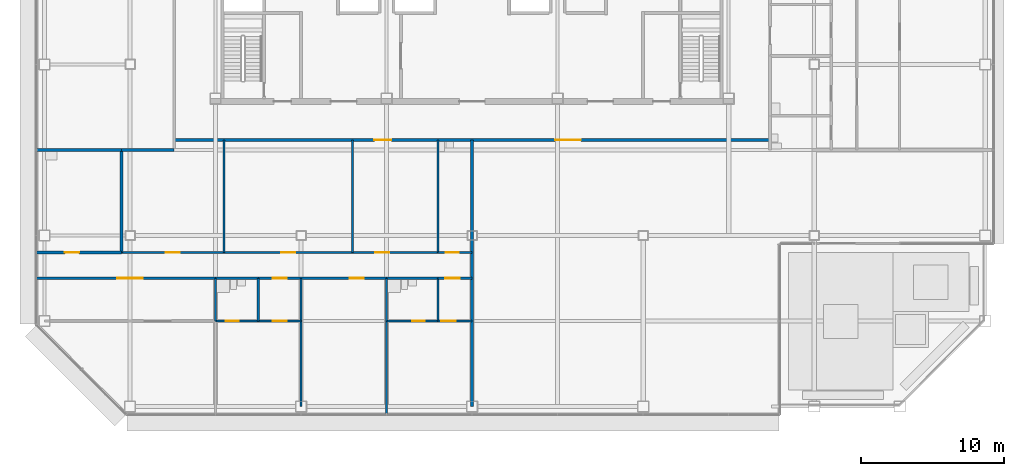
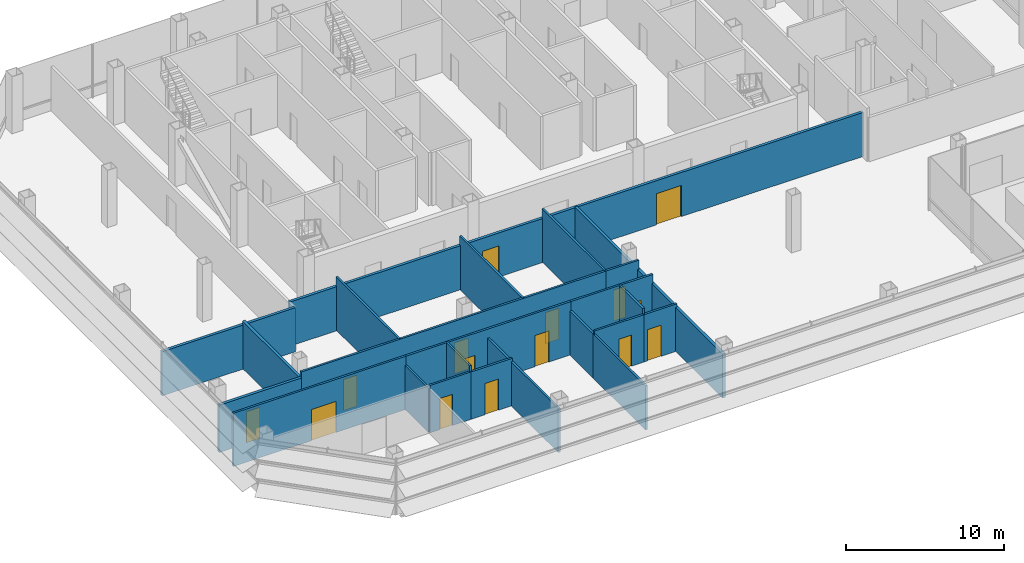
# One storey, part 19 of 28: 26 walls, 15 doors, 15 openings.
"""IFC4 building model written with IfcOpenShell, lengths in metres."""

from ifc_helpers import new_model, si_unit, direction, frame, frame_2d, origin, place, context, subcontext, project, spatial, rectangle, extrude, material, layer, layer_set, type_object, element, fill, save


model = new_model("IFC4")

# Units and contexts
model_context = context("Model", 3, precision=1e-05, world=origin(), true_north=direction((0.0, 1.0)))
body_context = subcontext(model_context, "Body", "Model", "MODEL_VIEW")
ifc_project = project(units=[si_unit("LENGTHUNIT", "METRE"), si_unit("AREAUNIT", "SQUARE_METRE"), si_unit("VOLUMEUNIT", "CUBIC_METRE"), si_unit("PLANEANGLEUNIT", "RADIAN"), si_unit("MASSUNIT", "GRAM", prefix="KILO")], contexts=[model_context])

# Site, building, storey
site_placement = place(None, origin())
site = spatial("IfcSite", under=ifc_project, at=site_placement, CompositionType="ELEMENT")
building_placement = place(site_placement, origin())
building = spatial("IfcBuilding", under=site, at=building_placement, Name="Sorahane Residences", CompositionType="ELEMENT")
storey_placement = place(building_placement, frame((0.0, 0.0, 134.0)))
storey = spatial("IfcBuildingStorey", under=building, at=storey_placement, Name="L30", CompositionType="ELEMENT", Elevation=134.0)

# Walls
ifc_material_1 = material(Name="Concrete blockwork C20 wall", Category="masonry")
ifc_layer_1 = layer(ifc_material_1, 0.199951171875)
ifc_layer_set_1 = layer_set([ifc_layer_1], Name="Corridor wall 200 EI 120")
wall_type_1 = type_object("IfcWallType", Name="Corridor wall 200 EI 120", PredefinedType="SOLIDWALL", material=ifc_layer_set_1)
wall_1_placement = place(storey_placement, frame((24.0, 0.0, 0.0), z_axis=(0.0, 0.0, 1.0), x_axis=(0.0, 1.0, 0.0)))
element("IfcWall", 1, at=wall_1_placement, inside=storey, type_object=wall_type_1, Name="L30 corridor wall", PredefinedType="SOLIDWALL", context=body_context, shape_type="SweptSolid", body=[
    extrude(rectangle(XDim=18.699951171875, YDim=0.199951171875, at=frame_2d((9.35009765625, 0.0))), origin(), (0.0, 0.0, 1.0), 3.39990234375),
])
wall_2_placement = place(storey_placement, frame((-0.60009765625, 18.0, 0.0), z_axis=(0.0, 0.0, 1.0), x_axis=(1.0, 0.0, 0.0)))
element("IfcWall", 2, at=wall_2_placement, inside=storey, type_object=wall_type_1, Name="L30 corridor wall", PredefinedType="SOLIDWALL", context=body_context, shape_type="SweptSolid", body=[
    extrude(rectangle(XDim=3.7001953125, YDim=0.199951171875, at=frame_2d((1.85009765625, 0.0))), origin(), (0.0, 0.0, 1.0), 3.39990234375),
])

# Wall, openings, doors
wall_3_placement = place(storey_placement, frame((3.10009765625, 18.699951171875, 0.0), z_axis=(0.0, 0.0, 1.0), x_axis=(1.0, 0.0, 0.0)))
wall_3 = element("IfcWall", 3, at=wall_3_placement, inside=storey, type_object=wall_type_1, Name="L30 corridor wall", PredefinedType="SOLIDWALL", context=body_context, shape_type="SweptSolid", body=[
    extrude(rectangle(XDim=41.7998046875, YDim=0.199951171875, at=frame_2d((20.89990234375, 0.0))), origin(), (0.0, 0.0, 1.0), 3.39990234375),
])
opening_1_placement = place(wall_3_placement, frame((14.0400390625, 0.0, 0.0)))
opening_1 = element("IfcOpeningElement", 4, at=opening_1_placement, cuts=wall_3, Name="Opening L30-27", PredefinedType="OPENING", context=body_context, shape_type="SweptSolid", body=[
    extrude(rectangle(XDim=1.199951171875, YDim=2.39990234375, at=frame_2d((0.60009765625, 1.199951171875))), frame((0.0, 0.10986328125, 0.0), z_axis=(0.0, -1.0, 0.0), x_axis=(1.0, 0.0, 0.0)), (0.0, 0.0, 1.0), 0.219970703125),
])
opening_2_placement = place(wall_3_placement, frame((26.72998046875, 0.0, 0.0)))
opening_2 = element("IfcOpeningElement", 5, at=opening_2_placement, cuts=wall_3, Name="Opening L30-29", PredefinedType="OPENING", context=body_context, shape_type="SweptSolid", body=[
    extrude(rectangle(XDim=1.800048828125, YDim=2.39990234375, at=frame_2d((0.89990234375, 1.199951171875))), frame((0.0, 0.10986328125, 0.0), z_axis=(0.0, -1.0, 0.0), x_axis=(1.0, 0.0, 0.0)), (0.0, 0.0, 1.0), 0.219970703125),
])
ifc_material_2 = material(Name="Timber veneered fire door", Category="wood")
door_type_1 = type_object("IfcDoorType", Name="Double door 1800x2400 FD30", OperationType="NOTDEFINED", PredefinedType="DOOR", material=ifc_material_2)
door_1_placement = place(opening_2_placement, frame((1.800048828125, 0.0, 0.0), z_axis=(0.0, 0.0, 1.0), x_axis=(-1.0, 0.0, 0.0)))
door_1 = element("IfcDoor", 6, at=door_1_placement, inside=storey, type_object=door_type_1, Name="Double door L30-29", OperationType="SINGLE_SWING_LEFT", OverallHeight=2.39990234375, OverallWidth=1.800048828125, PredefinedType="DOOR", context=body_context, shape_type="SweptSolid", body=[
    extrude(rectangle(XDim=1.800048828125, YDim=2.39990234375, at=frame_2d((0.89990234375, 1.199951171875))), frame((0.0, 0.02490234375, 0.0), z_axis=(0.0, -1.0, 0.0), x_axis=(1.0, 0.0, 0.0)), (0.0, 0.0, 1.0), 0.050048828125),
])
fill(opening_2, door_1)
ifc_material_3 = material(Name="Timber veneered fire door", Category="wood")
door_type_2 = type_object("IfcDoorType", Name="Flat entrance door 1200x2400 FD60", OperationType="NOTDEFINED", PredefinedType="DOOR", material=ifc_material_3)
door_2_placement = place(opening_1_placement, frame((1.199951171875, 0.0, 0.0), z_axis=(0.0, 0.0, 1.0), x_axis=(-1.0, 0.0, 0.0)))
door_2 = element("IfcDoor", 7, at=door_2_placement, inside=storey, type_object=door_type_2, Name="Flat entrance door L30-27", OperationType="SINGLE_SWING_RIGHT", OverallHeight=2.39990234375, OverallWidth=1.199951171875, PredefinedType="DOOR", context=body_context, shape_type="SweptSolid", body=[
    extrude(rectangle(XDim=1.199951171875, YDim=2.39990234375, at=frame_2d((0.60009765625, 1.199951171875))), frame((0.0, 0.02490234375, 0.0), z_axis=(0.0, -1.0, 0.0), x_axis=(1.0, 0.0, 0.0)), (0.0, 0.0, 1.0), 0.050048828125),
])
fill(opening_1, door_2)

# Wall
ifc_material_4 = material(Name="Concrete blockwork C20 wall", Category="masonry")
ifc_layer_2 = layer(ifc_material_4, 0.199951171875)
ifc_layer_set_2 = layer_set([ifc_layer_2], Name="Kitchen wall 200 EI 180")
wall_type_2 = type_object("IfcWallType", Name="Kitchen wall 200 EI 180", PredefinedType="SOLIDWALL", material=ifc_layer_set_2)
wall_4_placement = place(storey_placement, frame((-0.60009765625, 10.800048828125, 0.0), z_axis=(0.0, 0.0, 1.0), x_axis=(0.0, 1.0, 0.0)))
element("IfcWall", 8, at=wall_4_placement, inside=storey, type_object=wall_type_2, Name="L30 kitchen wall", PredefinedType="SOLIDWALL", context=body_context, shape_type="SweptSolid", body=[
    extrude(rectangle(XDim=7.199951171875, YDim=0.199951171875, at=frame_2d((3.60009765625, 0.0))), origin(), (0.0, 0.0, 1.0), 3.64990234375),
])

# Wall, opening, door
wall_5_placement = place(storey_placement, frame((-6.60009765625, 10.800048828125, 0.0), z_axis=(0.0, 0.0, 1.0), x_axis=(1.0, 0.0, 0.0)))
wall_5 = element("IfcWall", 9, at=wall_5_placement, inside=storey, type_object=wall_type_2, Name="L30 kitchen wall", PredefinedType="SOLIDWALL", context=body_context, shape_type="SweptSolid", body=[
    extrude(rectangle(XDim=6.0, YDim=0.199951171875, at=frame_2d((3.0, 0.0))), origin(), (0.0, 0.0, 1.0), 3.64990234375),
])
opening_3_placement = place(wall_5_placement, frame((2.02001953125, 0.0, 0.0)))
opening_3 = element("IfcOpeningElement", 10, at=opening_3_placement, cuts=wall_5, Name="Opening L30-02", PredefinedType="OPENING", context=body_context, shape_type="SweptSolid", body=[
    extrude(rectangle(XDim=1.0, YDim=2.39990234375, at=frame_2d((0.5, 1.199951171875))), frame((0.0, 0.10986328125, 0.0), z_axis=(0.0, -1.0, 0.0), x_axis=(1.0, 0.0, 0.0)), (0.0, 0.0, 1.0), 0.219970703125),
])
ifc_material_5 = material(Name="Steel", Category="steel")
door_type_3 = type_object("IfcDoorType", Name="Kitchen door 1000x2400 FD120", OperationType="NOTDEFINED", PredefinedType="DOOR", material=ifc_material_5)
door_3_placement = place(opening_3_placement, origin())
door_3 = element("IfcDoor", 11, at=door_3_placement, inside=storey, type_object=door_type_3, Name="Kitchen door L30-02", OperationType="SINGLE_SWING_RIGHT", OverallHeight=2.39990234375, OverallWidth=1.0, PredefinedType="DOOR", context=body_context, shape_type="SweptSolid", body=[
    extrude(rectangle(XDim=1.0, YDim=2.39990234375, at=frame_2d((0.5, 1.199951171875))), frame((0.0, 0.02490234375, 0.0), z_axis=(0.0, -1.0, 0.0), x_axis=(1.0, 0.0, 0.0)), (0.0, 0.0, 1.0), 0.050048828125),
])
fill(opening_3, door_3)

# Walls
wall_6_placement = place(storey_placement, frame((-6.60009765625, 18.0, 0.0), z_axis=(0.0, 0.0, 1.0), x_axis=(1.0, 0.0, 0.0)))
element("IfcWall", 12, at=wall_6_placement, inside=storey, type_object=wall_type_2, Name="L30 kitchen wall", PredefinedType="SOLIDWALL", context=body_context, shape_type="SweptSolid", body=[
    extrude(rectangle(XDim=6.0, YDim=0.199951171875, at=frame_2d((3.0, 0.0))), origin(), (0.0, 0.0, 1.0), 3.39990234375),
])
ifc_material_6 = material(Name="Gypsum board partition on steel studs", Category="steel")
ifc_layer_3 = layer(ifc_material_6, 0.14990234375)
ifc_layer_set_3 = layer_set([ifc_layer_3], Name="Partition 150 EI 90")
wall_type_3 = type_object("IfcWallType", Name="Partition 150 EI 90", PredefinedType="PARTITIONING", material=ifc_layer_set_3)
wall_7_placement = place(storey_placement, frame((12.0, 0.0, 0.0), z_axis=(0.0, 0.0, 1.0), x_axis=(0.0, 1.0, 0.0)))
element("IfcWall", 13, at=wall_7_placement, inside=storey, type_object=wall_type_3, Name="L30 partition", PredefinedType="PARTITIONING", context=body_context, shape_type="SweptSolid", body=[
    extrude(rectangle(XDim=9.0, YDim=0.14990234375, at=frame_2d((4.5, 0.0))), origin(), (0.0, 0.0, 1.0), 3.39990234375),
])
wall_8_placement = place(storey_placement, frame((15.60009765625, 10.800048828125, 0.0), z_axis=(0.0, 0.0, 1.0), x_axis=(0.0, 1.0, 0.0)))
element("IfcWall", 14, at=wall_8_placement, inside=storey, type_object=wall_type_3, Name="L30 partition", PredefinedType="PARTITIONING", context=body_context, shape_type="SweptSolid", body=[
    extrude(rectangle(XDim=7.89990234375, YDim=0.14990234375, at=frame_2d((3.949951171875, 0.0))), origin(), (0.0, 0.0, 1.0), 4.10009765625),
])
wall_9_placement = place(storey_placement, frame((18.0, -0.60009765625, 0.0), z_axis=(0.0, 0.0, 1.0), x_axis=(0.0, 1.0, 0.0)))
element("IfcWall", 15, at=wall_9_placement, inside=storey, type_object=wall_type_3, Name="L30 partition", PredefinedType="PARTITIONING", context=body_context, shape_type="SweptSolid", body=[
    extrude(rectangle(XDim=6.60009765625, YDim=0.14990234375, at=frame_2d((3.300048828125, 0.0))), origin(), (0.0, 0.0, 1.0), 3.39990234375),
])
wall_10_placement = place(storey_placement, frame((6.60009765625, 10.800048828125, 0.0), z_axis=(0.0, 0.0, 1.0), x_axis=(0.0, 1.0, 0.0)))
element("IfcWall", 16, at=wall_10_placement, inside=storey, type_object=wall_type_3, Name="L30 partition", PredefinedType="PARTITIONING", context=body_context, shape_type="SweptSolid", body=[
    extrude(rectangle(XDim=7.89990234375, YDim=0.14990234375, at=frame_2d((3.949951171875, 0.0))), origin(), (0.0, 0.0, 1.0), 4.10009765625),
])

# Wall, openings, doors
wall_11_placement = place(storey_placement, frame((-0.60009765625, 10.800048828125, 0.0), z_axis=(0.0, 0.0, 1.0), x_axis=(1.0, 0.0, 0.0)))
wall_11 = element("IfcWall", 17, at=wall_11_placement, inside=storey, type_object=wall_type_3, Name="L30 partition", PredefinedType="PARTITIONING", context=body_context, shape_type="SweptSolid", body=[
    extrude(rectangle(XDim=22.2001953125, YDim=0.14990234375, at=frame_2d((11.10009765625, 0.0))), origin(), (0.0, 0.0, 1.0), 4.10009765625),
])
opening_4_placement = place(wall_11_placement, frame((17.800048828125, 0.0, 0.0)))
opening_4 = element("IfcOpeningElement", 18, at=opening_4_placement, cuts=wall_11, Name="Opening L30-01", PredefinedType="OPENING", context=body_context, shape_type="SweptSolid", body=[
    extrude(rectangle(XDim=1.0, YDim=2.39990234375, at=frame_2d((0.5, 1.199951171875))), frame((0.0, 0.0849609375, 0.0), z_axis=(0.0, -1.0, 0.0), x_axis=(1.0, 0.0, 0.0)), (0.0, 0.0, 1.0), 0.169921875),
])
opening_5_placement = place(wall_11_placement, frame((3.10009765625, 0.0, 0.0)))
opening_5 = element("IfcOpeningElement", 19, at=opening_5_placement, cuts=wall_11, Name="Opening L30-03", PredefinedType="OPENING", context=body_context, shape_type="SweptSolid", body=[
    extrude(rectangle(XDim=1.0, YDim=2.39990234375, at=frame_2d((0.5, 1.199951171875))), frame((0.0, 0.0849609375, 0.0), z_axis=(0.0, -1.0, 0.0), x_axis=(1.0, 0.0, 0.0)), (0.0, 0.0, 1.0), 0.169921875),
])
opening_6_placement = place(wall_11_placement, frame((11.199951171875, 0.0, 0.0)))
opening_6 = element("IfcOpeningElement", 20, at=opening_6_placement, cuts=wall_11, Name="Opening L30-04", PredefinedType="OPENING", context=body_context, shape_type="SweptSolid", body=[
    extrude(rectangle(XDim=1.0, YDim=2.39990234375, at=frame_2d((0.5, 1.199951171875))), frame((0.0, 0.0849609375, 0.0), z_axis=(0.0, -1.0, 0.0), x_axis=(1.0, 0.0, 0.0)), (0.0, 0.0, 1.0), 0.169921875),
])
ifc_material_7 = material(Name="Timber veneered fire door", Category="wood")
door_type_4 = type_object("IfcDoorType", Name="Room door 1000x2400 FD30", OperationType="NOTDEFINED", PredefinedType="DOOR", material=ifc_material_7)
door_4_placement = place(opening_4_placement, frame((1.0, 0.0, 0.0), z_axis=(0.0, 0.0, 1.0), x_axis=(-1.0, 0.0, 0.0)))
door_4 = element("IfcDoor", 21, at=door_4_placement, inside=storey, type_object=door_type_4, Name="Room door L30-01", OperationType="SINGLE_SWING_RIGHT", OverallHeight=2.39990234375, OverallWidth=1.0, PredefinedType="DOOR", context=body_context, shape_type="SweptSolid", body=[
    extrude(rectangle(XDim=1.0, YDim=2.39990234375, at=frame_2d((0.5, 1.199951171875))), frame((0.0, 0.02490234375, 0.0), z_axis=(0.0, -1.0, 0.0), x_axis=(1.0, 0.0, 0.0)), (0.0, 0.0, 1.0), 0.050048828125),
])
fill(opening_4, door_4)
door_5_placement = place(opening_5_placement, origin())
door_5 = element("IfcDoor", 22, at=door_5_placement, inside=storey, type_object=door_type_4, Name="Room door L30-03", OperationType="SINGLE_SWING_RIGHT", OverallHeight=2.39990234375, OverallWidth=1.0, PredefinedType="DOOR", context=body_context, shape_type="SweptSolid", body=[
    extrude(rectangle(XDim=1.0, YDim=2.39990234375, at=frame_2d((0.5, 1.199951171875))), frame((0.0, 0.02490234375, 0.0), z_axis=(0.0, -1.0, 0.0), x_axis=(1.0, 0.0, 0.0)), (0.0, 0.0, 1.0), 0.050048828125),
])
fill(opening_5, door_5)
door_6_placement = place(opening_6_placement, origin())
door_6 = element("IfcDoor", 23, at=door_6_placement, inside=storey, type_object=door_type_4, Name="Room door L30-04", OperationType="SINGLE_SWING_RIGHT", OverallHeight=2.39990234375, OverallWidth=1.0, PredefinedType="DOOR", context=body_context, shape_type="SweptSolid", body=[
    extrude(rectangle(XDim=1.0, YDim=2.39990234375, at=frame_2d((0.5, 1.199951171875))), frame((0.0, 0.02490234375, 0.0), z_axis=(0.0, -1.0, 0.0), x_axis=(1.0, 0.0, 0.0)), (0.0, 0.0, 1.0), 0.050048828125),
])
fill(opening_6, door_6)

# Wall, opening, door
wall_12_placement = place(storey_placement, frame((9.0, 6.0, 0.0), z_axis=(0.0, 0.0, 1.0), x_axis=(1.0, 0.0, 0.0)))
wall_12 = element("IfcWall", 24, at=wall_12_placement, inside=storey, type_object=wall_type_3, Name="L30 partition", PredefinedType="PARTITIONING", context=body_context, shape_type="SweptSolid", body=[
    extrude(rectangle(XDim=3.0, YDim=0.14990234375, at=frame_2d((1.5, 0.0))), origin(), (0.0, 0.0, 1.0), 3.64990234375),
])
opening_7_placement = place(wall_12_placement, frame((1.0, 0.0, 0.0)))
opening_7 = element("IfcOpeningElement", 25, at=opening_7_placement, cuts=wall_12, Name="Opening L30-11", PredefinedType="OPENING", context=body_context, shape_type="SweptSolid", body=[
    extrude(rectangle(XDim=1.0, YDim=2.39990234375, at=frame_2d((0.5, 1.199951171875))), frame((0.0, 0.0849609375, 0.0), z_axis=(0.0, -1.0, 0.0), x_axis=(1.0, 0.0, 0.0)), (0.0, 0.0, 1.0), 0.169921875),
])
door_7_placement = place(opening_7_placement, frame((1.0, 0.0, 0.0), z_axis=(0.0, 0.0, 1.0), x_axis=(-1.0, 0.0, 0.0)))
door_7 = element("IfcDoor", 26, at=door_7_placement, inside=storey, type_object=door_type_4, Name="Room door L30-11", OperationType="SINGLE_SWING_LEFT", OverallHeight=2.39990234375, OverallWidth=1.0, PredefinedType="DOOR", context=body_context, shape_type="SweptSolid", body=[
    extrude(rectangle(XDim=1.0, YDim=2.39990234375, at=frame_2d((0.5, 1.199951171875))), frame((0.0, 0.02490234375, 0.0), z_axis=(0.0, -1.0, 0.0), x_axis=(1.0, 0.0, 0.0)), (0.0, 0.0, 1.0), 0.050048828125),
])
fill(opening_7, door_7)

wall_13_placement = place(storey_placement, frame((21.60009765625, 6.0, 0.0), z_axis=(0.0, 0.0, 1.0), x_axis=(1.0, 0.0, 0.0)))
wall_13 = element("IfcWall", 27, at=wall_13_placement, inside=storey, type_object=wall_type_3, Name="L30 partition", PredefinedType="PARTITIONING", context=body_context, shape_type="SweptSolid", body=[
    extrude(rectangle(XDim=2.39990234375, YDim=0.14990234375, at=frame_2d((1.199951171875, 0.0))), origin(), (0.0, 0.0, 1.0), 3.64990234375),
])
opening_8_placement = place(wall_13_placement, frame((0.25, 0.0, 0.0)))
opening_8 = element("IfcOpeningElement", 28, at=opening_8_placement, cuts=wall_13, Name="Opening L30-13", PredefinedType="OPENING", context=body_context, shape_type="SweptSolid", body=[
    extrude(rectangle(XDim=1.0, YDim=2.39990234375, at=frame_2d((0.5, 1.199951171875))), frame((0.0, 0.0849609375, 0.0), z_axis=(0.0, -1.0, 0.0), x_axis=(1.0, 0.0, 0.0)), (0.0, 0.0, 1.0), 0.169921875),
])
door_8_placement = place(opening_8_placement, frame((1.0, 0.0, 0.0), z_axis=(0.0, 0.0, 1.0), x_axis=(-1.0, 0.0, 0.0)))
door_8 = element("IfcDoor", 29, at=door_8_placement, inside=storey, type_object=door_type_4, Name="Room door L30-13", OperationType="SINGLE_SWING_LEFT", OverallHeight=2.39990234375, OverallWidth=1.0, PredefinedType="DOOR", context=body_context, shape_type="SweptSolid", body=[
    extrude(rectangle(XDim=1.0, YDim=2.39990234375, at=frame_2d((0.5, 1.199951171875))), frame((0.0, 0.02490234375, 0.0), z_axis=(0.0, -1.0, 0.0), x_axis=(1.0, 0.0, 0.0)), (0.0, 0.0, 1.0), 0.050048828125),
])
fill(opening_8, door_8)

wall_14_placement = place(storey_placement, frame((-6.60009765625, 9.0, 0.0), z_axis=(0.0, 0.0, 1.0), x_axis=(1.0, 0.0, 0.0)))
wall_14 = element("IfcWall", 30, at=wall_14_placement, inside=storey, type_object=wall_type_3, Name="L30 partition", PredefinedType="PARTITIONING", context=body_context, shape_type="SweptSolid", body=[
    extrude(rectangle(XDim=12.60009765625, YDim=0.14990234375, at=frame_2d((6.300048828125, 0.0))), origin(), (0.0, 0.0, 1.0), 4.10009765625),
])
opening_9_placement = place(wall_14_placement, frame((5.699951171875, 0.0, 0.0)))
opening_9 = element("IfcOpeningElement", 31, at=opening_9_placement, cuts=wall_14, Name="Opening L30-06", PredefinedType="OPENING", context=body_context, shape_type="SweptSolid", body=[
    extrude(rectangle(XDim=1.800048828125, YDim=2.39990234375, at=frame_2d((0.89990234375, 1.199951171875))), frame((0.0, 0.0849609375, 0.0), z_axis=(0.0, -1.0, 0.0), x_axis=(1.0, 0.0, 0.0)), (0.0, 0.0, 1.0), 0.169921875),
])
door_9_placement = place(opening_9_placement, frame((1.800048828125, 0.0, 0.0), z_axis=(0.0, 0.0, 1.0), x_axis=(-1.0, 0.0, 0.0)))
door_9 = element("IfcDoor", 32, at=door_9_placement, inside=storey, type_object=door_type_1, Name="Double door L30-06", OperationType="SINGLE_SWING_RIGHT", OverallHeight=2.39990234375, OverallWidth=1.800048828125, PredefinedType="DOOR", context=body_context, shape_type="SweptSolid", body=[
    extrude(rectangle(XDim=1.800048828125, YDim=2.39990234375, at=frame_2d((0.89990234375, 1.199951171875))), frame((0.0, 0.02490234375, 0.0), z_axis=(0.0, -1.0, 0.0), x_axis=(1.0, 0.0, 0.0)), (0.0, 0.0, 1.0), 0.050048828125),
])
fill(opening_9, door_9)

# Wall, openings, doors
wall_15_placement = place(storey_placement, frame((9.0, 9.0, 0.0), z_axis=(0.0, 0.0, 1.0), x_axis=(1.0, 0.0, 0.0)))
wall_15 = element("IfcWall", 33, at=wall_15_placement, inside=storey, type_object=wall_type_3, Name="L30 partition", PredefinedType="PARTITIONING", context=body_context, shape_type="SweptSolid", body=[
    extrude(rectangle(XDim=9.0, YDim=0.14990234375, at=frame_2d((4.5, 0.0))), origin(), (0.0, 0.0, 1.0), 4.10009765625),
])
opening_10_placement = place(wall_15_placement, frame((1.0, 0.0, 0.0)))
opening_10 = element("IfcOpeningElement", 34, at=opening_10_placement, cuts=wall_15, Name="Opening L30-07", PredefinedType="OPENING", context=body_context, shape_type="SweptSolid", body=[
    extrude(rectangle(XDim=1.0, YDim=2.39990234375, at=frame_2d((0.5, 1.199951171875))), frame((0.0, 0.0849609375, 0.0), z_axis=(0.0, -1.0, 0.0), x_axis=(1.0, 0.0, 0.0)), (0.0, 0.0, 1.0), 0.169921875),
])
opening_11_placement = place(wall_15_placement, frame((6.39990234375, 0.0, 0.0)))
opening_11 = element("IfcOpeningElement", 35, at=opening_11_placement, cuts=wall_15, Name="Opening L30-08", PredefinedType="OPENING", context=body_context, shape_type="SweptSolid", body=[
    extrude(rectangle(XDim=1.0, YDim=2.39990234375, at=frame_2d((0.5, 1.199951171875))), frame((0.0, 0.0849609375, 0.0), z_axis=(0.0, -1.0, 0.0), x_axis=(1.0, 0.0, 0.0)), (0.0, 0.0, 1.0), 0.169921875),
])
door_10_placement = place(opening_10_placement, frame((1.0, 0.0, 0.0), z_axis=(0.0, 0.0, 1.0), x_axis=(-1.0, 0.0, 0.0)))
door_10 = element("IfcDoor", 36, at=door_10_placement, inside=storey, type_object=door_type_4, Name="Room door L30-07", OperationType="SINGLE_SWING_LEFT", OverallHeight=2.39990234375, OverallWidth=1.0, PredefinedType="DOOR", context=body_context, shape_type="SweptSolid", body=[
    extrude(rectangle(XDim=1.0, YDim=2.39990234375, at=frame_2d((0.5, 1.199951171875))), frame((0.0, 0.02490234375, 0.0), z_axis=(0.0, -1.0, 0.0), x_axis=(1.0, 0.0, 0.0)), (0.0, 0.0, 1.0), 0.050048828125),
])
fill(opening_10, door_10)
door_11_placement = place(opening_11_placement, frame((1.0, 0.0, 0.0), z_axis=(0.0, 0.0, 1.0), x_axis=(-1.0, 0.0, 0.0)))
door_11 = element("IfcDoor", 37, at=door_11_placement, inside=storey, type_object=door_type_4, Name="Room door L30-08", OperationType="SINGLE_SWING_RIGHT", OverallHeight=2.39990234375, OverallWidth=1.0, PredefinedType="DOOR", context=body_context, shape_type="SweptSolid", body=[
    extrude(rectangle(XDim=1.0, YDim=2.39990234375, at=frame_2d((0.5, 1.199951171875))), frame((0.0, 0.02490234375, 0.0), z_axis=(0.0, -1.0, 0.0), x_axis=(1.0, 0.0, 0.0)), (0.0, 0.0, 1.0), 0.050048828125),
])
fill(opening_11, door_11)

# Wall, opening, door
wall_16_placement = place(storey_placement, frame((21.60009765625, 9.0, 0.0), z_axis=(0.0, 0.0, 1.0), x_axis=(1.0, 0.0, 0.0)))
wall_16 = element("IfcWall", 38, at=wall_16_placement, inside=storey, type_object=wall_type_3, Name="L30 partition", PredefinedType="PARTITIONING", context=body_context, shape_type="SweptSolid", body=[
    extrude(rectangle(XDim=2.39990234375, YDim=0.14990234375, at=frame_2d((1.199951171875, 0.0))), origin(), (0.0, 0.0, 1.0), 4.10009765625),
])
opening_12_placement = place(wall_16_placement, frame((0.52001953125, 0.0, 0.0)))
opening_12 = element("IfcOpeningElement", 39, at=opening_12_placement, cuts=wall_16, Name="Opening L30-09", PredefinedType="OPENING", context=body_context, shape_type="SweptSolid", body=[
    extrude(rectangle(XDim=1.0, YDim=2.39990234375, at=frame_2d((0.5, 1.199951171875))), frame((0.0, 0.0849609375, 0.0), z_axis=(0.0, -1.0, 0.0), x_axis=(1.0, 0.0, 0.0)), (0.0, 0.0, 1.0), 0.169921875),
])
door_12_placement = place(opening_12_placement, frame((1.0, 0.0, 0.0), z_axis=(0.0, 0.0, 1.0), x_axis=(-1.0, 0.0, 0.0)))
door_12 = element("IfcDoor", 40, at=door_12_placement, inside=storey, type_object=door_type_4, Name="Room door L30-09", OperationType="SINGLE_SWING_LEFT", OverallHeight=2.39990234375, OverallWidth=1.0, PredefinedType="DOOR", context=body_context, shape_type="SweptSolid", body=[
    extrude(rectangle(XDim=1.0, YDim=2.39990234375, at=frame_2d((0.5, 1.199951171875))), frame((0.0, 0.02490234375, 0.0), z_axis=(0.0, -1.0, 0.0), x_axis=(1.0, 0.0, 0.0)), (0.0, 0.0, 1.0), 0.050048828125),
])
fill(opening_12, door_12)

# Walls
ifc_material_8 = material(Name="Gypsum board partition on steel studs", Category="steel")
ifc_layer_4 = layer(ifc_material_8, 0.14990234375)
ifc_layer_set_4 = layer_set([ifc_layer_4], Name="Wet wall 150 EI 90")
wall_type_4 = type_object("IfcWallType", Name="Wet wall 150 EI 90", PredefinedType="PARTITIONING", material=ifc_layer_set_4)
wall_17_placement = place(storey_placement, frame((18.0, 6.0, 0.0), z_axis=(0.0, 0.0, 1.0), x_axis=(0.0, 1.0, 0.0)))
element("IfcWall", 41, at=wall_17_placement, inside=storey, type_object=wall_type_4, Name="L30 wet wall", PredefinedType="PARTITIONING", context=body_context, shape_type="SweptSolid", body=[
    extrude(rectangle(XDim=3.0, YDim=0.14990234375, at=frame_2d((1.5, 0.0))), origin(), (0.0, 0.0, 1.0), 3.39990234375),
])
wall_18_placement = place(storey_placement, frame((21.60009765625, 6.0, 0.0), z_axis=(0.0, 0.0, 1.0), x_axis=(0.0, 1.0, 0.0)))
element("IfcWall", 42, at=wall_18_placement, inside=storey, type_object=wall_type_4, Name="L30 wet wall", PredefinedType="PARTITIONING", context=body_context, shape_type="SweptSolid", body=[
    extrude(rectangle(XDim=3.0, YDim=0.14990234375, at=frame_2d((1.5, 0.0))), origin(), (0.0, 0.0, 1.0), 4.10009765625),
])
wall_19_placement = place(storey_placement, frame((21.60009765625, 10.800048828125, 0.0), z_axis=(0.0, 0.0, 1.0), x_axis=(0.0, 1.0, 0.0)))
element("IfcWall", 43, at=wall_19_placement, inside=storey, type_object=wall_type_4, Name="L30 wet wall", PredefinedType="PARTITIONING", context=body_context, shape_type="SweptSolid", body=[
    extrude(rectangle(XDim=7.89990234375, YDim=0.14990234375, at=frame_2d((3.949951171875, 0.0))), origin(), (0.0, 0.0, 1.0), 4.10009765625),
])
wall_20_placement = place(storey_placement, frame((6.0, 6.0, 0.0), z_axis=(0.0, 0.0, 1.0), x_axis=(0.0, 1.0, 0.0)))
element("IfcWall", 44, at=wall_20_placement, inside=storey, type_object=wall_type_4, Name="L30 wet wall", PredefinedType="PARTITIONING", context=body_context, shape_type="SweptSolid", body=[
    extrude(rectangle(XDim=3.0, YDim=0.14990234375, at=frame_2d((1.5, 0.0))), origin(), (0.0, 0.0, 1.0), 3.39990234375),
])
wall_21_placement = place(storey_placement, frame((9.0, 6.0, 0.0), z_axis=(0.0, 0.0, 1.0), x_axis=(0.0, 1.0, 0.0)))
element("IfcWall", 45, at=wall_21_placement, inside=storey, type_object=wall_type_4, Name="L30 wet wall", PredefinedType="PARTITIONING", context=body_context, shape_type="SweptSolid", body=[
    extrude(rectangle(XDim=3.0, YDim=0.14990234375, at=frame_2d((1.5, 0.0))), origin(), (0.0, 0.0, 1.0), 4.10009765625),
])

# Wall, opening, door
wall_22_placement = place(storey_placement, frame((21.60009765625, 10.800048828125, 0.0), z_axis=(0.0, 0.0, 1.0), x_axis=(1.0, 0.0, 0.0)))
wall_22 = element("IfcWall", 46, at=wall_22_placement, inside=storey, type_object=wall_type_4, Name="L30 wet wall", PredefinedType="PARTITIONING", context=body_context, shape_type="SweptSolid", body=[
    extrude(rectangle(XDim=2.39990234375, YDim=0.14990234375, at=frame_2d((1.199951171875, 0.0))), origin(), (0.0, 0.0, 1.0), 4.10009765625),
])
opening_13_placement = place(wall_22_placement, frame((0.550048828125, 0.0, 0.0)))
opening_13 = element("IfcOpeningElement", 47, at=opening_13_placement, cuts=wall_22, Name="Opening L30-05", PredefinedType="OPENING", context=body_context, shape_type="SweptSolid", body=[
    extrude(rectangle(XDim=0.89990234375, YDim=2.39990234375, at=frame_2d((0.449951171875, 1.199951171875))), frame((0.0, 0.0849609375, 0.0), z_axis=(0.0, -1.0, 0.0), x_axis=(1.0, 0.0, 0.0)), (0.0, 0.0, 1.0), 0.169921875),
])
ifc_material_9 = material(Name="Timber veneered fire door", Category="wood")
door_type_5 = type_object("IfcDoorType", Name="Bathroom door 900x2400 FD30", OperationType="NOTDEFINED", PredefinedType="DOOR", material=ifc_material_9)
door_13_placement = place(opening_13_placement, frame((0.89990234375, 0.0, 0.0), z_axis=(0.0, 0.0, 1.0), x_axis=(-1.0, 0.0, 0.0)))
door_13 = element("IfcDoor", 48, at=door_13_placement, inside=storey, type_object=door_type_5, Name="Bathroom door L30-05", OperationType="SINGLE_SWING_LEFT", OverallHeight=2.39990234375, OverallWidth=0.89990234375, PredefinedType="DOOR", context=body_context, shape_type="SweptSolid", body=[
    extrude(rectangle(XDim=0.89990234375, YDim=2.39990234375, at=frame_2d((0.449951171875, 1.199951171875))), frame((0.0, 0.02490234375, 0.0), z_axis=(0.0, -1.0, 0.0), x_axis=(1.0, 0.0, 0.0)), (0.0, 0.0, 1.0), 0.050048828125),
])
fill(opening_13, door_13)

wall_23_placement = place(storey_placement, frame((6.0, 6.0, 0.0), z_axis=(0.0, 0.0, 1.0), x_axis=(1.0, 0.0, 0.0)))
wall_23 = element("IfcWall", 49, at=wall_23_placement, inside=storey, type_object=wall_type_4, Name="L30 wet wall", PredefinedType="PARTITIONING", context=body_context, shape_type="SweptSolid", body=[
    extrude(rectangle(XDim=3.0, YDim=0.14990234375, at=frame_2d((1.5, 0.0))), origin(), (0.0, 0.0, 1.0), 3.64990234375),
])
opening_14_placement = place(wall_23_placement, frame((0.72998046875, 0.0, 0.0)))
opening_14 = element("IfcOpeningElement", 50, at=opening_14_placement, cuts=wall_23, Name="Opening L30-12", PredefinedType="OPENING", context=body_context, shape_type="SweptSolid", body=[
    extrude(rectangle(XDim=0.89990234375, YDim=2.39990234375, at=frame_2d((0.449951171875, 1.199951171875))), frame((0.0, 0.0849609375, 0.0), z_axis=(0.0, -1.0, 0.0), x_axis=(1.0, 0.0, 0.0)), (0.0, 0.0, 1.0), 0.169921875),
])
door_14_placement = place(opening_14_placement, frame((0.89990234375, 0.0, 0.0), z_axis=(0.0, 0.0, 1.0), x_axis=(-1.0, 0.0, 0.0)))
door_14 = element("IfcDoor", 51, at=door_14_placement, inside=storey, type_object=door_type_5, Name="Bathroom door L30-12", OperationType="SINGLE_SWING_LEFT", OverallHeight=2.39990234375, OverallWidth=0.89990234375, PredefinedType="DOOR", context=body_context, shape_type="SweptSolid", body=[
    extrude(rectangle(XDim=0.89990234375, YDim=2.39990234375, at=frame_2d((0.449951171875, 1.199951171875))), frame((0.0, 0.02490234375, 0.0), z_axis=(0.0, -1.0, 0.0), x_axis=(1.0, 0.0, 0.0)), (0.0, 0.0, 1.0), 0.050048828125),
])
fill(opening_14, door_14)

wall_24_placement = place(storey_placement, frame((18.0, 6.0, 0.0), z_axis=(0.0, 0.0, 1.0), x_axis=(1.0, 0.0, 0.0)))
wall_24 = element("IfcWall", 52, at=wall_24_placement, inside=storey, type_object=wall_type_4, Name="L30 wet wall", PredefinedType="PARTITIONING", context=body_context, shape_type="SweptSolid", body=[
    extrude(rectangle(XDim=3.60009765625, YDim=0.14990234375, at=frame_2d((1.800048828125, 0.0))), origin(), (0.0, 0.0, 1.0), 3.64990234375),
])
opening_15_placement = place(wall_24_placement, frame((1.7900390625, 0.0, 0.0)))
opening_15 = element("IfcOpeningElement", 53, at=opening_15_placement, cuts=wall_24, Name="Opening L30-14", PredefinedType="OPENING", context=body_context, shape_type="SweptSolid", body=[
    extrude(rectangle(XDim=0.89990234375, YDim=2.39990234375, at=frame_2d((0.449951171875, 1.199951171875))), frame((0.0, 0.0849609375, 0.0), z_axis=(0.0, -1.0, 0.0), x_axis=(1.0, 0.0, 0.0)), (0.0, 0.0, 1.0), 0.169921875),
])
door_15_placement = place(opening_15_placement, frame((0.89990234375, 0.0, 0.0), z_axis=(0.0, 0.0, 1.0), x_axis=(-1.0, 0.0, 0.0)))
door_15 = element("IfcDoor", 54, at=door_15_placement, inside=storey, type_object=door_type_5, Name="Bathroom door L30-14", OperationType="SINGLE_SWING_LEFT", OverallHeight=2.39990234375, OverallWidth=0.89990234375, PredefinedType="DOOR", context=body_context, shape_type="SweptSolid", body=[
    extrude(rectangle(XDim=0.89990234375, YDim=2.39990234375, at=frame_2d((0.449951171875, 1.199951171875))), frame((0.0, 0.02490234375, 0.0), z_axis=(0.0, -1.0, 0.0), x_axis=(1.0, 0.0, 0.0)), (0.0, 0.0, 1.0), 0.050048828125),
])
fill(opening_15, door_15)

# Walls
wall_25_placement = place(storey_placement, frame((6.0, 9.0, 0.0), z_axis=(0.0, 0.0, 1.0), x_axis=(1.0, 0.0, 0.0)))
element("IfcWall", 55, at=wall_25_placement, inside=storey, type_object=wall_type_4, Name="L30 wet wall", PredefinedType="PARTITIONING", context=body_context, shape_type="SweptSolid", body=[
    extrude(rectangle(XDim=3.0, YDim=0.14990234375, at=frame_2d((1.5, 0.0))), origin(), (0.0, 0.0, 1.0), 4.10009765625),
])
wall_26_placement = place(storey_placement, frame((18.0, 9.0, 0.0), z_axis=(0.0, 0.0, 1.0), x_axis=(1.0, 0.0, 0.0)))
element("IfcWall", 56, at=wall_26_placement, inside=storey, type_object=wall_type_4, Name="L30 wet wall", PredefinedType="PARTITIONING", context=body_context, shape_type="SweptSolid", body=[
    extrude(rectangle(XDim=3.60009765625, YDim=0.14990234375, at=frame_2d((1.800048828125, 0.0))), origin(), (0.0, 0.0, 1.0), 4.10009765625),
])

save(model, "model.ifc")
